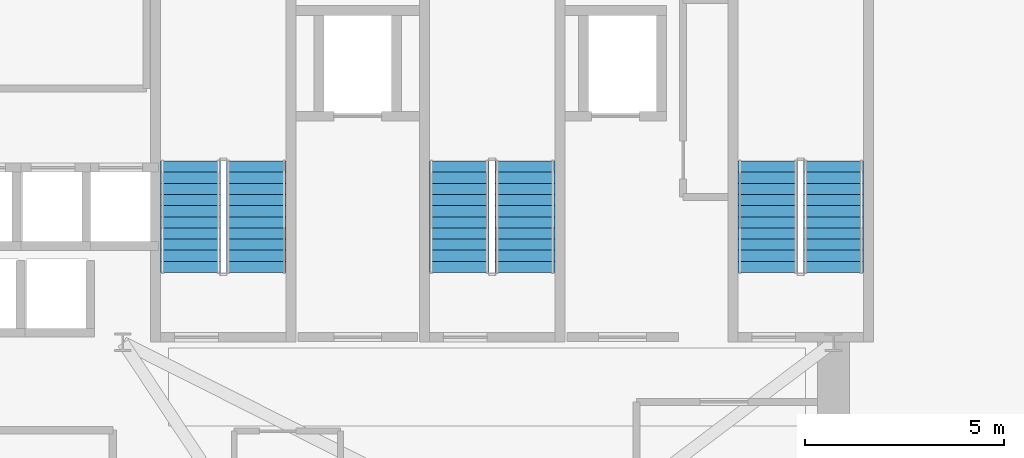
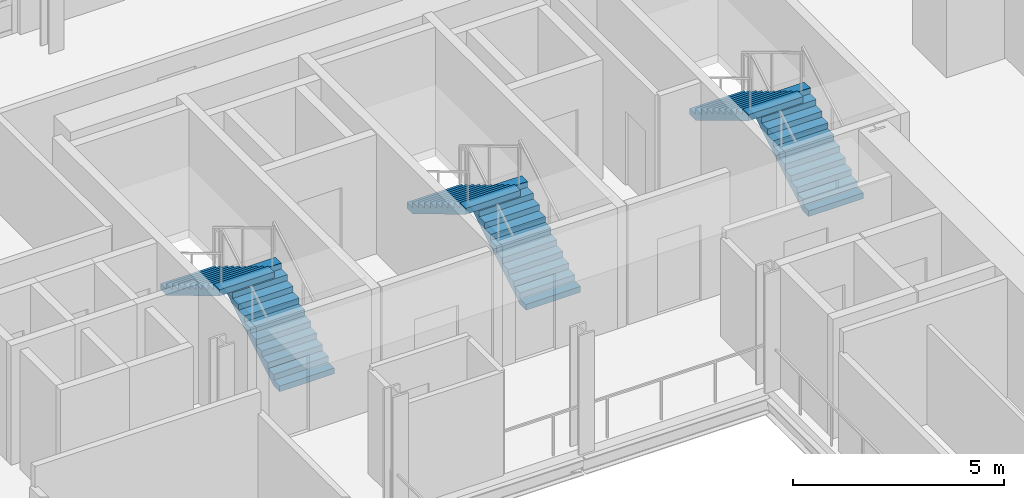
# One storey, part 9 of 14: 6 stair flights, 3 elements without a shape of their own.
"""IFC4 building model written with IfcOpenShell, lengths in metres."""

from ifc_helpers import new_model, si_unit, direction, frame, origin, place, context, subcontext, project, spatial, polyline, outline, extrude, source, transform, mapped, material, type_object, element, aggregate, save


model = new_model("IFC4")

# Units and contexts
model_context = context("Model", 3, precision=1e-05, world=origin(), true_north=direction((0.0, 1.0)))
body_context = subcontext(model_context, "Body", "Model", "MODEL_VIEW")
ifc_project = project(units=[si_unit("LENGTHUNIT", "METRE"), si_unit("AREAUNIT", "SQUARE_METRE"), si_unit("VOLUMEUNIT", "CUBIC_METRE"), si_unit("PLANEANGLEUNIT", "RADIAN"), si_unit("MASSUNIT", "GRAM", prefix="KILO")], contexts=[model_context])

# Site, building, storey
site_placement = place(None, origin())
site = spatial("IfcSite", under=ifc_project, at=site_placement, CompositionType="ELEMENT")
building_placement = place(site_placement, origin())
building = spatial("IfcBuilding", under=site, at=building_placement, Name="Vardaveli Station Tower", CompositionType="ELEMENT")
storey_placement = place(building_placement, frame((0.0, 0.0, 122.39990234375)))
storey = spatial("IfcBuildingStorey", under=building, at=storey_placement, Name="L31", CompositionType="ELEMENT", Elevation=122.39990234375)

# Stair, stair flights
ifc_material = material(Name="Concrete C40/50", Category="concrete")
stair_type = type_object("IfcStairType", Name="STR-CORE-1500", PredefinedType="HALF_TURN_STAIR", material=ifc_material)
stair_1_placement = place(storey_placement, origin())
stair_1 = element("IfcStair", 1, at=stair_1_placement, inside=storey, type_object=stair_type, Name="L31 ST-1", PredefinedType="HALF_TURN_STAIR")
stair_flight_type = type_object("IfcStairFlightType", Name="SFL-CORE-1500", PredefinedType="STRAIGHT", material=ifc_material)
shared_shape = source(origin(), body_context, "Body", "SweptSolid", [
    extrude(outline(polyline([(0.0, 0.0), (0.0, 0.168212890625), (0.280029296875, 0.168212890625), (0.280029296875, 0.33642578125), (0.56005859375, 0.33642578125), (0.56005859375, 0.504638671875), (0.840087890625, 0.504638671875), (0.840087890625, 0.672607421875), (1.1201171875, 0.672607421875), (1.1201171875, 0.8408203125), (1.39990234375, 0.8408203125), (1.39990234375, 1.009033203125), (1.679931640625, 1.009033203125), (1.679931640625, 1.17724609375), (1.9599609375, 1.17724609375), (1.9599609375, 1.345458984375), (2.239990234375, 1.345458984375), (2.239990234375, 1.513671875), (2.52001953125, 1.513671875), (2.52001953125, 1.681884765625), (2.800048828125, 1.681884765625), (2.800048828125, 1.85009765625), (2.800048828125, 1.5068359375), (0.291015625, 0.0), (0.0, 0.0)])), frame((0.0, 0.75, 0.0), z_axis=(0.0, -1.0, 0.0), x_axis=(1.0, 0.0, 0.0)), (0.0, 0.0, 1.0), 1.5),
])
stair_flight_1_placement = place(storey_placement, frame((32.0, 32.39990234375, 0.0), z_axis=(0.0, 0.0, 1.0), x_axis=(0.0, 1.0, 0.0)))
stair_flight_1 = element("IfcStairFlight", 2, at=stair_flight_1_placement, type_object=stair_flight_type, Name="ST-1 flight 1", NumberOfRisers=11, NumberOfTreads=10, PredefinedType="STRAIGHT", RiserHeight=0.168181818, TreadLength=0.28, context=body_context, shape_type="MappedRepresentation", body=[
    mapped(shared_shape, transform((0.0, 0.0, 0.0), scale=1.0)),
])
stair_flight_2_placement = place(storey_placement, frame((30.35009765625, 35.199951171875, 1.85009765625), z_axis=(0.0, 0.0, 1.0), x_axis=(0.0, -1.0, 0.0)))
stair_flight_2 = element("IfcStairFlight", 3, at=stair_flight_2_placement, type_object=stair_flight_type, Name="ST-1 flight 2", NumberOfRisers=11, NumberOfTreads=10, PredefinedType="STRAIGHT", RiserHeight=0.168181818, TreadLength=0.28, context=body_context, shape_type="MappedRepresentation", body=[
    mapped(shared_shape, transform((0.0, 0.0, 0.0), scale=1.0)),
])
aggregate(stair_1, [stair_flight_1, stair_flight_2])

stair_2_placement = place(storey_placement, origin())
stair_2 = element("IfcStair", 4, at=stair_2_placement, inside=storey, type_object=stair_type, Name="L31 ST-2", PredefinedType="HALF_TURN_STAIR")
stair_flight_3_placement = place(storey_placement, frame((38.75, 32.39990234375, 0.0), z_axis=(0.0, 0.0, 1.0), x_axis=(0.0, 1.0, 0.0)))
stair_flight_3 = element("IfcStairFlight", 5, at=stair_flight_3_placement, type_object=stair_flight_type, Name="ST-2 flight 1", NumberOfRisers=11, NumberOfTreads=10, PredefinedType="STRAIGHT", RiserHeight=0.168181818, TreadLength=0.28, context=body_context, shape_type="MappedRepresentation", body=[
    mapped(shared_shape, transform((0.0, 0.0, 0.0), scale=1.0)),
])
stair_flight_4_placement = place(storey_placement, frame((37.10009765625, 35.199951171875, 1.85009765625), z_axis=(0.0, 0.0, 1.0), x_axis=(0.0, -1.0, 0.0)))
stair_flight_4 = element("IfcStairFlight", 6, at=stair_flight_4_placement, type_object=stair_flight_type, Name="ST-2 flight 2", NumberOfRisers=11, NumberOfTreads=10, PredefinedType="STRAIGHT", RiserHeight=0.168181818, TreadLength=0.28, context=body_context, shape_type="MappedRepresentation", body=[
    mapped(shared_shape, transform((0.0, 0.0, 0.0), scale=1.0)),
])
aggregate(stair_2, [stair_flight_3, stair_flight_4])

stair_3_placement = place(storey_placement, origin())
stair_3 = element("IfcStair", 7, at=stair_3_placement, inside=storey, type_object=stair_type, Name="L31 ST-3", PredefinedType="HALF_TURN_STAIR")
stair_flight_5_placement = place(storey_placement, frame((46.5, 32.39990234375, 0.0), z_axis=(0.0, 0.0, 1.0), x_axis=(0.0, 1.0, 0.0)))
stair_flight_5 = element("IfcStairFlight", 8, at=stair_flight_5_placement, type_object=stair_flight_type, Name="ST-3 flight 1", NumberOfRisers=11, NumberOfTreads=10, PredefinedType="STRAIGHT", RiserHeight=0.168181818, TreadLength=0.28, context=body_context, shape_type="MappedRepresentation", body=[
    mapped(shared_shape, transform((0.0, 0.0, 0.0), scale=1.0)),
])
stair_flight_6_placement = place(storey_placement, frame((44.85009765625, 35.199951171875, 1.85009765625), z_axis=(0.0, 0.0, 1.0), x_axis=(0.0, -1.0, 0.0)))
stair_flight_6 = element("IfcStairFlight", 9, at=stair_flight_6_placement, type_object=stair_flight_type, Name="ST-3 flight 2", NumberOfRisers=11, NumberOfTreads=10, PredefinedType="STRAIGHT", RiserHeight=0.168181818, TreadLength=0.28, context=body_context, shape_type="MappedRepresentation", body=[
    mapped(shared_shape, transform((0.0, 0.0, 0.0), scale=1.0)),
])
aggregate(stair_3, [stair_flight_5, stair_flight_6])

save(model, "model.ifc")
